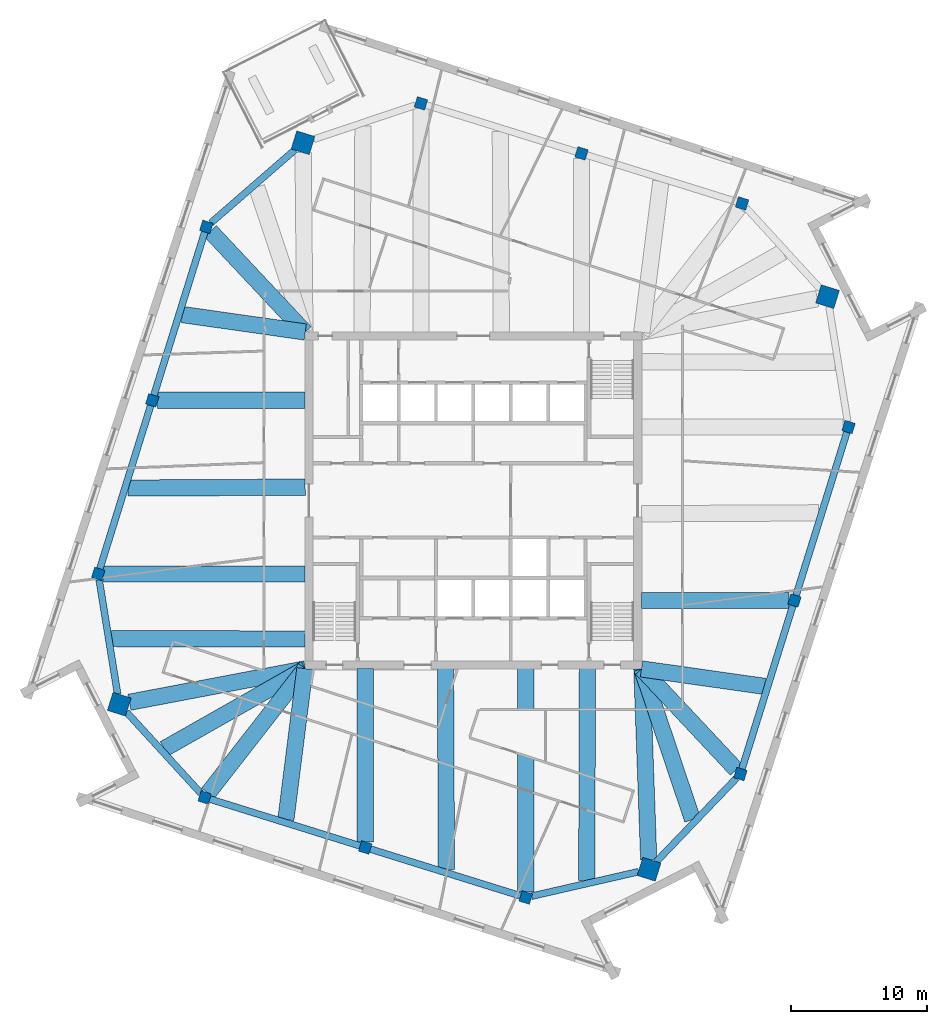
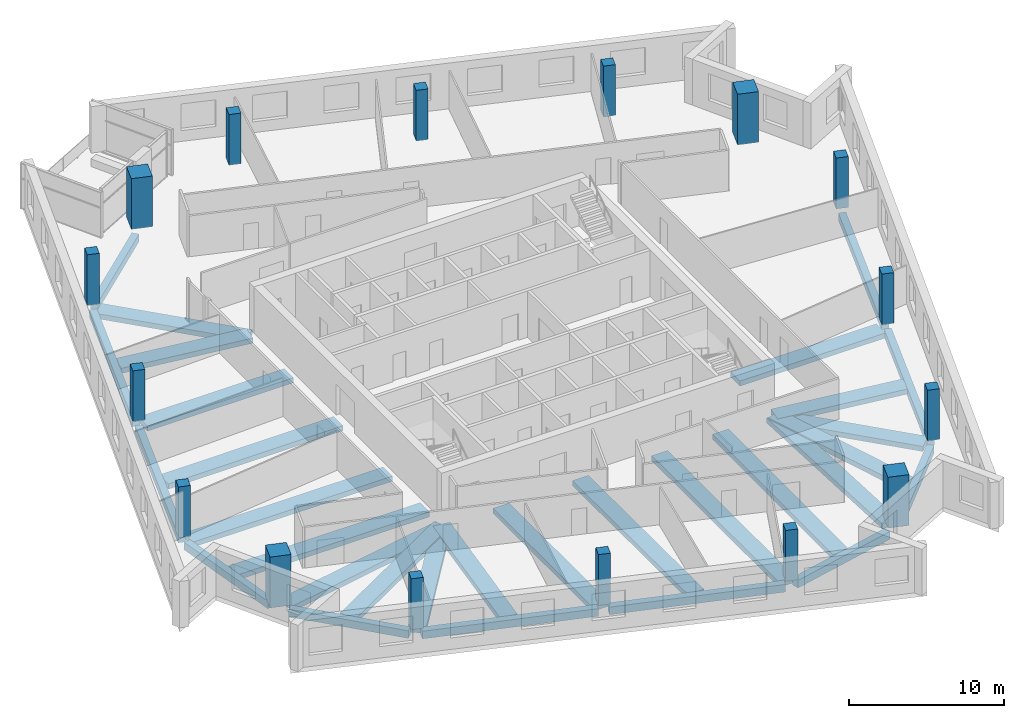
# One storey, part 1 of 13: 30 beams, 16 columns.
"""IFC4 building model written with IfcOpenShell, lengths in metres."""

from ifc_helpers import new_model, si_unit, direction, frame, origin, origin_2d, place, context, subcontext, project, spatial, rectangle, extrude, material, material_profile, profile_set, type_object, element, save


model = new_model("IFC4")

# Units and contexts
model_context = context("Model", 3, precision=1e-05, world=origin(), true_north=direction((0.0, 1.0)))
body_context = subcontext(model_context, "Body", "Model", "MODEL_VIEW")
ifc_project = project(units=[si_unit("LENGTHUNIT", "METRE"), si_unit("AREAUNIT", "SQUARE_METRE"), si_unit("VOLUMEUNIT", "CUBIC_METRE"), si_unit("PLANEANGLEUNIT", "RADIAN"), si_unit("MASSUNIT", "GRAM", prefix="KILO")], contexts=[model_context])

# Site, building, storey
site_placement = place(None, origin())
site = spatial("IfcSite", under=ifc_project, at=site_placement, CompositionType="ELEMENT")
building_placement = place(site_placement, origin())
building = spatial("IfcBuilding", under=site, at=building_placement, Name="Dilmun Exchange Tower", CompositionType="ELEMENT")
storey_placement = place(building_placement, frame((0.0, 0.0, 316.5)))
storey = spatial("IfcBuildingStorey", under=building, at=storey_placement, Name="L75", CompositionType="ELEMENT", Elevation=316.5)

# Columns
ifc_material_1 = material(Name="Concrete C50/60", Category="concrete")
ifc_material_profile_1 = material_profile(ifc_material_1, rectangle(XDim=1.39990234375, YDim=1.39990234375, at=origin_2d()), Name="1400 x 1400")
ifc_profile_set_1 = profile_set([ifc_material_profile_1], Name="Concrete C50/60")
column_type_1 = type_object("IfcColumnType", Name="RC mega column 1400 x 1400 C50/60", PredefinedType="COLUMN", material=ifc_profile_set_1)
for number, where, z_axis, x_axis, name in (
    (1, (-12.537109375, 26.322021484375, 0.0), (0.0, 0.0, 1.0), (0.297503182032, 0.954720826567, 0.0), "Mega column M1"),
    (2, (-26.06005859375, -14.9951171875, 0.0), (0.0, 0.0, 1.0), (0.297503182032, 0.954720826567, 0.0), "Mega column M2"),
    (3, (12.928955078125, -27.14404296875, 0.0), (0.0, 0.0, 1.0), (0.297503182032, 0.954720826567, 0.0), "Mega column M3"),
    (4, (26.06005859375, 14.9951171875, 0.0), (0.0, 0.0, 1.0), (0.297503182032, 0.954720826567, 0.0), "Mega column M4"),
):
    element("IfcColumn", number, at=place(storey_placement, frame(where, z_axis=z_axis, x_axis=x_axis)), inside=storey, type_object=column_type_1, Name=name, PredefinedType="COLUMN", context=body_context, shape_type="SweptSolid", body=[
        extrude(rectangle(XDim=1.39990234375, YDim=1.39990234375, at=origin_2d()), origin(), (0.0, 0.0, 1.0), 4.0),
    ])
ifc_material_profile_2 = material_profile(ifc_material_1, rectangle(XDim=0.800048828125, YDim=0.800048828125, at=origin_2d()), Name="800 x 800")
ifc_profile_set_2 = profile_set([ifc_material_profile_2], Name="Concrete C50/60")
column_type_2 = type_object("IfcColumnType", Name="RC ring column 800 x 800 C50/60", PredefinedType="COLUMN", material=ifc_profile_set_2)
for number, where, z_axis, x_axis, name in (
    (5, (-19.64990234375, 20.133056640625, 0.0), (0.0, 0.0, 1.0), (0.297503182032, 0.954720826567, 0.0), "Ring column R01"),
    (6, (-23.62890625, 7.363037109375, 0.0), (0.0, 0.0, 1.0), (0.297503182032, 0.954720826567, 0.0), "Ring column R02"),
    (7, (-27.60791015625, -5.406005859375, 0.0), (0.0, 0.0, 1.0), (0.297503182032, 0.954720826567, 0.0), "Ring column R03"),
    (8, (-19.77294921875, -21.85693359375, 0.0), (0.0, 0.0, 1.0), (0.297503182032, 0.954720826567, 0.0), "Ring column R04"),
    (9, (-7.9580078125, -25.5390625, 0.0), (0.0, 0.0, 1.0), (0.297503182032, 0.954720826567, 0.0), "Ring column R05"),
    (10, (3.85595703125, -29.219970703125, 0.0), (0.0, 0.0, 1.0), (0.297503182032, 0.954720826567, 0.0), "Ring column R06"),
    (11, (19.64990234375, -20.133056640625, 0.0), (0.0, 0.0, 1.0), (0.297503182032, 0.954720826567, 0.0), "Ring column R07"),
    (12, (23.62890625, -7.363037109375, 0.0), (0.0, 0.0, 1.0), (0.297503182032, 0.954720826567, 0.0), "Ring column R08"),
    (13, (27.60791015625, 5.406005859375, 0.0), (0.0, 0.0, 1.0), (0.297503182032, 0.954720826567, 0.0), "Ring column R09"),
    (14, (19.77294921875, 21.85693359375, 0.0), (0.0, 0.0, 1.0), (0.297503182032, 0.954720826567, 0.0), "Ring column R10"),
    (15, (7.9580078125, 25.5390625, 0.0), (0.0, 0.0, 1.0), (0.297503182032, 0.954720826567, 0.0), "Ring column R11"),
    (16, (-3.85595703125, 29.219970703125, 0.0), (0.0, 0.0, 1.0), (0.297503182032, 0.954720826567, 0.0), "Ring column R12"),
):
    element("IfcColumn", number, at=place(storey_placement, frame(where, z_axis=z_axis, x_axis=x_axis)), inside=storey, type_object=column_type_2, Name=name, PredefinedType="COLUMN", context=body_context, shape_type="SweptSolid", body=[
        extrude(rectangle(XDim=0.800048828125, YDim=0.800048828125, at=origin_2d()), origin(), (0.0, 0.0, 1.0), 4.0),
    ])

# Beams
ifc_material_2 = material(Name="Concrete C40/50", Category="concrete")
ifc_material_profile_3 = material_profile(ifc_material_2, rectangle(XDim=1.199951171875, YDim=0.39990234375, at=origin_2d()), Name="1200 x 400")
ifc_profile_set_3 = profile_set([ifc_material_profile_3], Name="Concrete C40/50")
beam_type_1 = type_object("IfcBeamType", Name="RC band beam 1200 x 400 C40/50", PredefinedType="BEAM", material=ifc_profile_set_3)
beam_1_placement = place(storey_placement, frame((-19.35400390625, 19.8173828125, -0.64990234375), z_axis=(0.683952281649, -0.729526748261, 0.0), x_axis=(0.729526748261, 0.683952281649, 0.0)))
element("IfcBeam", 17, at=beam_1_placement, inside=storey, type_object=beam_type_1, Name="Band beam 2", PredefinedType="BEAM", context=body_context, shape_type="SweptSolid", body=[
    extrude(rectangle(XDim=1.199951171875, YDim=0.39990234375, at=origin_2d()), origin(), (0.0, 0.0, 1.0), 10.1943359375),
])
beam_2_placement = place(storey_placement, frame((-23.237060546875, 7.363037109375, -0.64990234375), z_axis=(1.0, 0.0, 0.0), x_axis=(0.0, 1.0, 0.0)))
element("IfcBeam", 18, at=beam_2_placement, inside=storey, type_object=beam_type_1, Name="Band beam 3", PredefinedType="BEAM", context=body_context, shape_type="SweptSolid", body=[
    extrude(rectangle(XDim=1.199951171875, YDim=0.39990234375, at=origin_2d()), origin(), (0.0, 0.0, 1.0), 10.864013671875),
])
beam_3_placement = place(storey_placement, frame((-27.216064453125, -5.406005859375, -0.64990234375), z_axis=(1.0, 0.0, 0.0), x_axis=(0.0, 1.0, 0.0)))
element("IfcBeam", 19, at=beam_3_placement, inside=storey, type_object=beam_type_1, Name="Band beam 4", PredefinedType="BEAM", context=body_context, shape_type="SweptSolid", body=[
    extrude(rectangle(XDim=1.199951171875, YDim=0.39990234375, at=origin_2d()), origin(), (0.0, 0.0, 1.0), 14.843017578125),
])
beam_4_placement = place(storey_placement, frame((-25.30712890625, -14.85205078125, -0.64990234375), z_axis=(0.982429348436, 0.18663487169, 0.0), x_axis=(-0.18663487169, 0.982429348436, 0.0)))
element("IfcBeam", 20, at=beam_4_placement, inside=storey, type_object=beam_type_1, Name="Band beam 5", PredefinedType="BEAM", context=body_context, shape_type="SweptSolid", body=[
    extrude(rectangle(XDim=1.199951171875, YDim=0.39990234375, at=origin_2d()), origin(), (0.0, 0.0, 1.0), 13.164794921875),
])
beam_5_placement = place(storey_placement, frame((-19.52685546875, -21.541259765625, -0.64990234375), z_axis=(0.614856714099, 0.788638840743, 0.0), x_axis=(-0.788638840743, 0.614856714099, 0.0)))
element("IfcBeam", 21, at=beam_5_placement, inside=storey, type_object=beam_type_1, Name="Band beam 6", PredefinedType="BEAM", context=body_context, shape_type="SweptSolid", body=[
    extrude(rectangle(XDim=1.199951171875, YDim=0.39990234375, at=origin_2d()), origin(), (0.0, 0.0, 1.0), 11.6181640625),
])
beam_6_placement = place(storey_placement, frame((-7.9580078125, -25.14697265625, -0.64990234375), z_axis=(0.0, 1.0, 0.0), x_axis=(-1.0, 0.0, 0.0)))
element("IfcBeam", 22, at=beam_6_placement, inside=storey, type_object=beam_type_1, Name="Band beam 7", PredefinedType="BEAM", context=body_context, shape_type="SweptSolid", body=[
    extrude(rectangle(XDim=1.199951171875, YDim=0.39990234375, at=origin_2d()), origin(), (0.0, 0.0, 1.0), 12.77392578125),
])
beam_7_placement = place(storey_placement, frame((3.85595703125, -28.827880859375, -0.64990234375), z_axis=(0.0, 1.0, 0.0), x_axis=(-1.0, 0.0, 0.0)))
element("IfcBeam", 23, at=beam_7_placement, inside=storey, type_object=beam_type_1, Name="Band beam 8", PredefinedType="BEAM", context=body_context, shape_type="SweptSolid", body=[
    extrude(rectangle(XDim=1.199951171875, YDim=0.39990234375, at=origin_2d()), origin(), (0.0, 0.0, 1.0), 16.454833984375),
])
beam_8_placement = place(storey_placement, frame((12.9033203125, -26.429443359375, -0.64990234375), z_axis=(-0.035860549827, 0.999356803632, 0.0), x_axis=(-0.999356803632, -0.035860549827, 0.0)))
element("IfcBeam", 24, at=beam_8_placement, inside=storey, type_object=beam_type_1, Name="Band beam 9", PredefinedType="BEAM", context=body_context, shape_type="SweptSolid", body=[
    extrude(rectangle(XDim=1.199951171875, YDim=0.39990234375, at=origin_2d()), origin(), (0.0, 0.0, 1.0), 14.0654296875),
])
beam_9_placement = place(storey_placement, frame((19.35400390625, -19.8173828125, -0.64990234375), z_axis=(-0.683952281649, 0.729526748261, 0.0), x_axis=(-0.729526748261, -0.683952281649, 0.0)))
element("IfcBeam", 25, at=beam_9_placement, inside=storey, type_object=beam_type_1, Name="Band beam 10", PredefinedType="BEAM", context=body_context, shape_type="SweptSolid", body=[
    extrude(rectangle(XDim=1.199951171875, YDim=0.39990234375, at=origin_2d()), origin(), (0.0, 0.0, 1.0), 10.1943359375),
])
beam_10_placement = place(storey_placement, frame((23.237060546875, -7.363037109375, -0.64990234375), z_axis=(-1.0, 0.0, 0.0), x_axis=(0.0, -1.0, 0.0)))
element("IfcBeam", 26, at=beam_10_placement, inside=storey, type_object=beam_type_1, Name="Band beam 11", PredefinedType="BEAM", context=body_context, shape_type="SweptSolid", body=[
    extrude(rectangle(XDim=1.199951171875, YDim=0.39990234375, at=origin_2d()), origin(), (0.0, 0.0, 1.0), 10.864013671875),
])
beam_11_placement = place(storey_placement, frame((-21.426513671875, 13.681640625, -0.550048828125), z_axis=(0.990066629404, -0.140598966357, 0.0), x_axis=(0.140598966357, 0.990066629404, 0.0)))
element("IfcBeam", 27, at=beam_11_placement, inside=storey, type_object=beam_type_1, Name="Band beam 18", PredefinedType="BEAM", context=body_context, shape_type="SweptSolid", body=[
    extrude(rectangle(XDim=1.199951171875, YDim=0.39990234375, at=origin_2d()), origin(), (0.0, 0.0, 1.0), 9.14404296875),
])
beam_12_placement = place(storey_placement, frame((-25.405517578125, 0.912109375, -0.550048828125), z_axis=(0.999987018468, 0.005095379798, 0.0), x_axis=(-0.005095379798, 0.999987018468, 0.0)))
element("IfcBeam", 28, at=beam_12_placement, inside=storey, type_object=beam_type_1, Name="Band beam 19", PredefinedType="BEAM", context=body_context, shape_type="SweptSolid", body=[
    extrude(rectangle(XDim=1.199951171875, YDim=0.39990234375, at=origin_2d()), origin(), (0.0, 0.0, 1.0), 13.03271484375),
])
beam_13_placement = place(storey_placement, frame((-26.614013671875, -10.1650390625, -0.550048828125), z_axis=(0.999996910379, -0.002485806038, 0.0), x_axis=(0.002485806038, 0.999996910379, 0.0)))
element("IfcBeam", 29, at=beam_13_placement, inside=storey, type_object=beam_type_1, Name="Band beam 20", PredefinedType="BEAM", context=body_context, shape_type="SweptSolid", body=[
    extrude(rectangle(XDim=1.199951171875, YDim=0.39990234375, at=origin_2d()), origin(), (0.0, 0.0, 1.0), 14.240966796875),
])
beam_14_placement = place(storey_placement, frame((-22.752197265625, -18.275390625, -0.550048828125), z_axis=(0.869690188955, 0.493597989496, 0.0), x_axis=(-0.493597989496, 0.869690188955, 0.0)))
element("IfcBeam", 30, at=beam_14_placement, inside=storey, type_object=beam_type_1, Name="Band beam 21", PredefinedType="BEAM", context=body_context, shape_type="SweptSolid", body=[
    extrude(rectangle(XDim=1.199951171875, YDim=0.39990234375, at=origin_2d()), origin(), (0.0, 0.0, 1.0), 11.93017578125),
])
beam_15_placement = place(storey_placement, frame((-13.79931640625, -23.485107421875, -0.550048828125), z_axis=(0.125252659456, 0.992124876867, 0.0), x_axis=(-0.992124876867, 0.125252659456, 0.0)))
element("IfcBeam", 31, at=beam_15_placement, inside=storey, type_object=beam_type_1, Name="Band beam 22", PredefinedType="BEAM", context=body_context, shape_type="SweptSolid", body=[
    extrude(rectangle(XDim=1.199951171875, YDim=0.39990234375, at=origin_2d()), origin(), (0.0, 0.0, 1.0), 11.199951171875),
])
beam_16_placement = place(storey_placement, frame((-1.984619140625, -27.16650390625, -0.550048828125), z_axis=(-0.004488848064, 0.999989925071, 0.0), x_axis=(-0.999989925071, -0.004488848064, 0.0)))
element("IfcBeam", 32, at=beam_16_placement, inside=storey, type_object=beam_type_1, Name="Band beam 23", PredefinedType="BEAM", context=body_context, shape_type="SweptSolid", body=[
    extrude(rectangle(XDim=1.199951171875, YDim=0.39990234375, at=origin_2d()), origin(), (0.0, 0.0, 1.0), 14.793701171875),
])
beam_17_placement = place(storey_placement, frame((8.3427734375, -27.964599609375, -0.550048828125), z_axis=(0.003194321582, 0.999994898142, 0.0), x_axis=(-0.999994898142, 0.003194321582, 0.0)))
element("IfcBeam", 33, at=beam_17_placement, inside=storey, type_object=beam_type_1, Name="Band beam 24", PredefinedType="BEAM", context=body_context, shape_type="SweptSolid", body=[
    extrude(rectangle(XDim=1.199951171875, YDim=0.39990234375, at=origin_2d()), origin(), (0.0, 0.0, 1.0), 15.591552734375),
])
beam_18_placement = place(storey_placement, frame((16.12841796875, -23.484130859375, -0.550048828125), z_axis=(-0.318844720982, 0.947806965527, 0.0), x_axis=(-0.947806965527, -0.318844720982, 0.0)))
element("IfcBeam", 34, at=beam_18_placement, inside=storey, type_object=beam_type_1, Name="Band beam 25", PredefinedType="BEAM", context=body_context, shape_type="SweptSolid", body=[
    extrude(rectangle(XDim=1.199951171875, YDim=0.39990234375, at=origin_2d()), origin(), (0.0, 0.0, 1.0), 11.721435546875),
])
beam_19_placement = place(storey_placement, frame((21.426513671875, -13.681640625, -0.550048828125), z_axis=(-0.990066629404, 0.140598966357, 0.0), x_axis=(-0.140598966357, -0.990066629404, 0.0)))
element("IfcBeam", 35, at=beam_19_placement, inside=storey, type_object=beam_type_1, Name="Band beam 26", PredefinedType="BEAM", context=body_context, shape_type="SweptSolid", body=[
    extrude(rectangle(XDim=1.199951171875, YDim=0.39990234375, at=origin_2d()), origin(), (0.0, 0.0, 1.0), 9.14404296875),
])
ifc_material_profile_4 = material_profile(ifc_material_2, rectangle(XDim=0.5, YDim=0.60009765625, at=origin_2d()), Name="500 x 600")
ifc_profile_set_4 = profile_set([ifc_material_profile_4], Name="Concrete C40/50")
beam_type_2 = type_object("IfcBeamType", Name="RC ring beam 500 x 600 C40/50", PredefinedType="SPANDREL", material=ifc_profile_set_4)
beam_20_placement = place(storey_placement, frame((-13.13720703125, 25.7998046875, -0.64990234375), z_axis=(-0.754412964807, -0.656400090289, 0.0), x_axis=(0.656400090289, -0.754412964807, 0.0)))
element("IfcBeam", 36, at=beam_20_placement, inside=storey, type_object=beam_type_2, Name="Ring beam 1", PredefinedType="SPANDREL", context=body_context, shape_type="SweptSolid", body=[
    extrude(rectangle(XDim=0.5, YDim=0.60009765625, at=origin_2d()), origin(), (0.0, 0.0, 1.0), 8.190185546875),
])
beam_21_placement = place(storey_placement, frame((-19.760986328125, 19.77685546875, -0.64990234375), z_axis=(-0.297481296371, -0.954727646143, 0.0), x_axis=(0.954727646143, -0.297481296371, 0.0)))
element("IfcBeam", 37, at=beam_21_placement, inside=storey, type_object=beam_type_2, Name="Ring beam 2", PredefinedType="SPANDREL", context=body_context, shape_type="SweptSolid", body=[
    extrude(rectangle(XDim=0.5, YDim=0.60009765625, at=origin_2d()), origin(), (0.0, 0.0, 1.0), 12.629638671875),
])
beam_22_placement = place(storey_placement, frame((-23.739990234375, 7.0068359375, -0.64990234375), z_axis=(-0.297508749799, -0.954719091562, 0.0), x_axis=(0.954719091562, -0.297508749799, 0.0)))
element("IfcBeam", 38, at=beam_22_placement, inside=storey, type_object=beam_type_2, Name="Ring beam 3", PredefinedType="SPANDREL", context=body_context, shape_type="SweptSolid", body=[
    extrude(rectangle(XDim=0.5, YDim=0.60009765625, at=origin_2d()), origin(), (0.0, 0.0, 1.0), 12.62841796875),
])
beam_23_placement = place(storey_placement, frame((-27.541015625, -5.820556640625, -0.64990234375), z_axis=(0.159356501233, -0.987221102649, 0.0), x_axis=(0.987221102649, 0.159356501233, 0.0)))
element("IfcBeam", 39, at=beam_23_placement, inside=storey, type_object=beam_type_2, Name="Ring beam 4", PredefinedType="SPANDREL", context=body_context, shape_type="SweptSolid", body=[
    extrude(rectangle(XDim=0.5, YDim=0.60009765625, at=origin_2d()), origin(), (0.0, 0.0, 1.0), 8.5380859375),
])
beam_24_placement = place(storey_placement, frame((-25.531005859375, -15.572265625, -0.64990234375), z_axis=(0.675535971399, -0.737327031476, 0.0), x_axis=(0.737327031476, 0.675535971399, 0.0)))
element("IfcBeam", 40, at=beam_24_placement, inside=storey, type_object=beam_type_2, Name="Ring beam 5", PredefinedType="SPANDREL", context=body_context, shape_type="SweptSolid", body=[
    extrude(rectangle(XDim=0.5, YDim=0.60009765625, at=origin_2d()), origin(), (0.0, 0.0, 1.0), 8.087890625),
])
beam_25_placement = place(storey_placement, frame((-19.4169921875, -21.968017578125, -0.64990234375), z_axis=(0.95471613385, -0.297518241065, 0.0), x_axis=(0.297518241065, 0.95471613385, 0.0)))
element("IfcBeam", 41, at=beam_25_placement, inside=storey, type_object=beam_type_2, Name="Ring beam 6", PredefinedType="SPANDREL", context=body_context, shape_type="SweptSolid", body=[
    extrude(rectangle(XDim=0.5, YDim=0.60009765625, at=origin_2d()), origin(), (0.0, 0.0, 1.0), 11.62939453125),
])
beam_26_placement = place(storey_placement, frame((-7.601806640625, -25.64990234375, -0.64990234375), z_axis=(0.954732553331, -0.297465546931, 0.0), x_axis=(0.297465546931, 0.954732553331, 0.0)))
element("IfcBeam", 42, at=beam_26_placement, inside=storey, type_object=beam_type_2, Name="Ring beam 7", PredefinedType="SPANDREL", context=body_context, shape_type="SweptSolid", body=[
    extrude(rectangle(XDim=0.5, YDim=0.60009765625, at=origin_2d()), origin(), (0.0, 0.0, 1.0), 11.628173828125),
])
beam_27_placement = place(storey_placement, frame((4.28076171875, -29.122802734375, -0.64990234375), z_axis=(0.974807153913, 0.223049350324, 0.0), x_axis=(-0.223049350324, 0.974807153913, 0.0)))
element("IfcBeam", 43, at=beam_27_placement, inside=storey, type_object=beam_type_2, Name="Ring beam 8", PredefinedType="SPANDREL", context=body_context, shape_type="SweptSolid", body=[
    extrude(rectangle(XDim=0.5, YDim=0.60009765625, at=origin_2d()), origin(), (0.0, 0.0, 1.0), 8.0888671875),
])
beam_28_placement = place(storey_placement, frame((13.451416015625, -26.598876953125, -0.64990234375), z_axis=(0.692021502551, 0.721876887016, 0.0), x_axis=(-0.721876887016, 0.692021502551, 0.0)))
element("IfcBeam", 44, at=beam_28_placement, inside=storey, type_object=beam_type_2, Name="Ring beam 9", PredefinedType="SPANDREL", context=body_context, shape_type="SweptSolid", body=[
    extrude(rectangle(XDim=0.5, YDim=0.60009765625, at=origin_2d()), origin(), (0.0, 0.0, 1.0), 8.537353515625),
])
beam_29_placement = place(storey_placement, frame((19.760986328125, -19.77685546875, -0.64990234375), z_axis=(0.297481296371, 0.954727646143, 0.0), x_axis=(-0.954727646143, 0.297481296371, 0.0)))
element("IfcBeam", 45, at=beam_29_placement, inside=storey, type_object=beam_type_2, Name="Ring beam 10", PredefinedType="SPANDREL", context=body_context, shape_type="SweptSolid", body=[
    extrude(rectangle(XDim=0.5, YDim=0.60009765625, at=origin_2d()), origin(), (0.0, 0.0, 1.0), 12.629638671875),
])
beam_30_placement = place(storey_placement, frame((23.739990234375, -7.0068359375, -0.64990234375), z_axis=(0.297508749799, 0.954719091562, 0.0), x_axis=(-0.954719091562, 0.297508749799, 0.0)))
element("IfcBeam", 46, at=beam_30_placement, inside=storey, type_object=beam_type_2, Name="Ring beam 11", PredefinedType="SPANDREL", context=body_context, shape_type="SweptSolid", body=[
    extrude(rectangle(XDim=0.5, YDim=0.60009765625, at=origin_2d()), origin(), (0.0, 0.0, 1.0), 12.62841796875),
])

save(model, "model.ifc")
